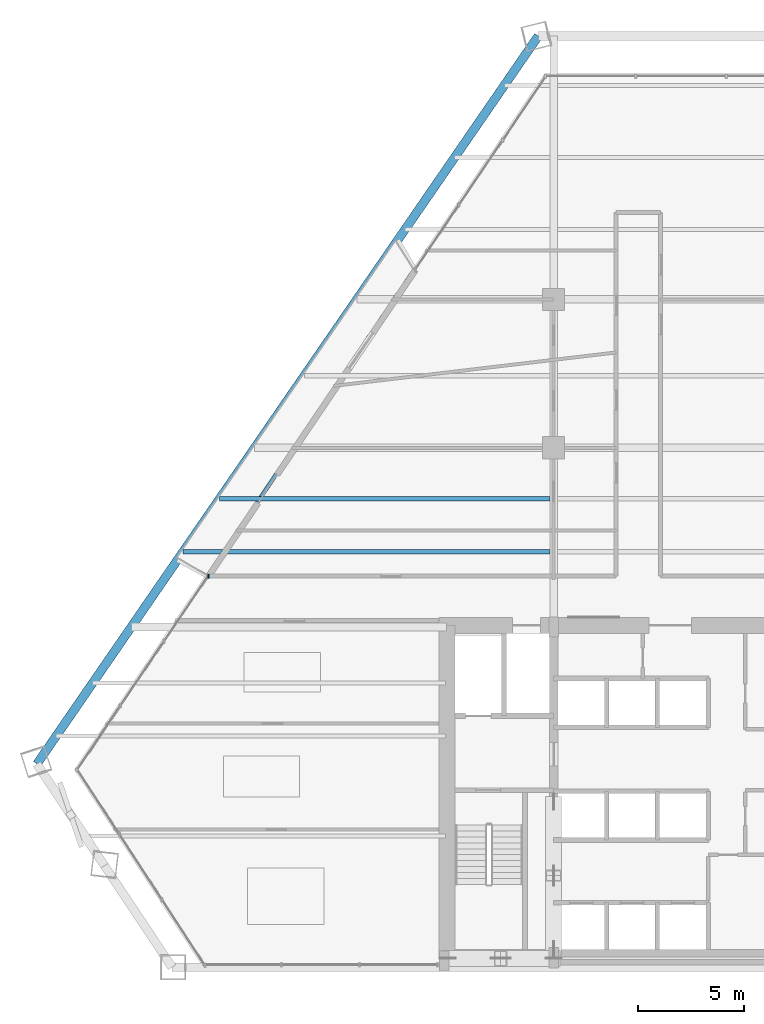
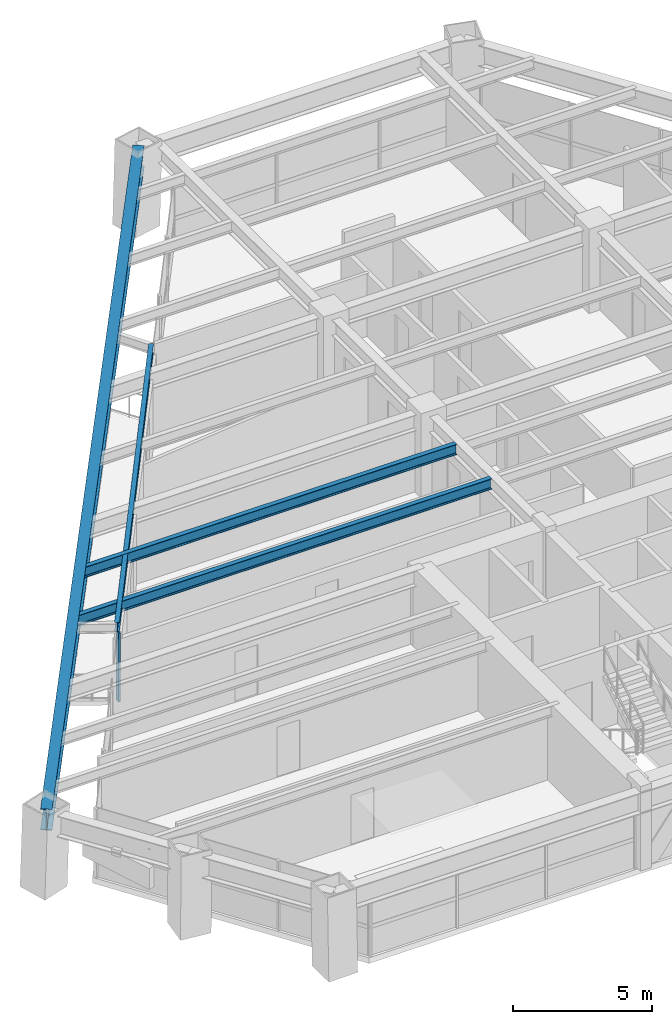
# One storey, part 4 of 14: 4 beams, 1 member, 1 element without a shape of its own.
"""IFC4 building model written with IfcOpenShell, lengths in metres."""

from ifc_helpers import new_model, si_unit, direction, frame, origin, origin_2d, place, context, subcontext, project, spatial, rectangle, i_section, extrude, source, transform, mapped, material, material_profile, profile_set, type_object, type_shapes, element, aggregate, save


model = new_model("IFC4")

# Units and contexts
model_context = context("Model", 3, precision=1e-05, world=origin(), true_north=direction((0.0, 1.0)))
body_context = subcontext(model_context, "Body", "Model", "MODEL_VIEW")
ifc_project = project(units=[si_unit("LENGTHUNIT", "METRE"), si_unit("AREAUNIT", "SQUARE_METRE"), si_unit("VOLUMEUNIT", "CUBIC_METRE"), si_unit("PLANEANGLEUNIT", "RADIAN"), si_unit("MASSUNIT", "GRAM", prefix="KILO")], contexts=[model_context])

# Site, building, storey
site_placement = place(None, origin())
site = spatial("IfcSite", under=ifc_project, at=site_placement, CompositionType="ELEMENT")
building_placement = place(site_placement, origin())
building = spatial("IfcBuilding", under=site, at=building_placement, Name="Varnakhor Terracotta Tower", CompositionType="ELEMENT")
storey_placement = place(building_placement, frame((0.0, 0.0, 84.0)))
storey = spatial("IfcBuildingStorey", under=building, at=storey_placement, Name="L20", CompositionType="ELEMENT", Elevation=84.0)

# Beams
ifc_material_1 = material(Name="Steel S355", Category="steel")
ifc_material_profile_1 = material_profile(ifc_material_1, i_section(OverallWidth=0.41796875, OverallDepth=0.927001953125, WebThickness=0.01904296875, FlangeThickness=0.031982421875, FilletRadius=0.01806640625, at=origin_2d()), Name="W36X231")
ifc_profile_set_1 = profile_set([ifc_material_profile_1], Name="Steel S355")
beam_type_1 = type_object("IfcBeamType", Name="BM-W36X231", PredefinedType="BEAM", material=ifc_profile_set_1)
shared_shape_1 = source(origin(), body_context, "Body", "SweptSolid", [
    extrude(i_section(OverallWidth=0.41796875, OverallDepth=0.927001953125, WebThickness=0.01904296875, FlangeThickness=0.031982421875, FilletRadius=0.01806640625, at=origin_2d()), origin(), (0.0, 0.0, 1.0), 41.700439453125),
])
beam_1_placement = place(storey_placement, frame((-6.219482421875, 43.93115234375, 2.986572265625), z_axis=(-0.567189824455, -0.82358709499, 0.0), x_axis=(0.82358709499, -0.567189824455, 0.0)))
element("IfcBeam", 1, at=beam_1_placement, inside=storey, type_object=beam_type_1, Name="L20 Perimeter Spandrel 6", PredefinedType="BEAM", context=body_context, shape_type="MappedRepresentation", body=[
    mapped(shared_shape_1, transform((0.0, 0.0, 0.0), scale=1.0)),
])
ifc_material_profile_2 = material_profile(ifc_material_1, i_section(OverallWidth=0.179931640625, OverallDepth=0.39990234375, WebThickness=0.008544921875, FlangeThickness=0.013427734375, FilletRadius=0.01806640625, at=origin_2d()), Name="IPE400")
ifc_profile_set_2 = profile_set([ifc_material_profile_2], Name="Steel S355")
beam_type_2 = type_object("IfcBeamType", Name="JST-IPE400", PredefinedType="JOIST", material=ifc_profile_set_2)
shared_shape_2 = source(origin(), body_context, "Body", "SweptSolid", [
    extrude(i_section(OverallWidth=0.179931640625, OverallDepth=0.39990234375, WebThickness=0.008544921875, FlangeThickness=0.013427734375, FilletRadius=0.01806640625, at=origin_2d()), origin(), (0.0, 0.0, 1.0), 17.50244140625),
])
beam_2_placement = place(storey_placement, frame((-12.04296875, 32.94580078125, 3.25), z_axis=(-0.559352585153, -0.828929843523, 0.0), x_axis=(0.828929843523, -0.559352585153, 0.0)))
element("IfcBeam", 2, at=beam_2_placement, inside=storey, type_object=beam_type_2, Name="L20 Loggia Edge Beam 2", PredefinedType="JOIST", context=body_context, shape_type="MappedRepresentation", body=[
    mapped(shared_shape_2, transform((0.0, 0.0, 0.0), scale=1.0)),
])
ifc_material_profile_3 = material_profile(ifc_material_1, i_section(OverallWidth=0.19189453125, OverallDepth=0.462890625, WebThickness=0.010498046875, FlangeThickness=0.017578125, FilletRadius=0.01806640625, at=origin_2d()), Name="W18X60")
ifc_profile_set_3 = profile_set([ifc_material_profile_3], Name="Steel S355")
beam_type_3 = type_object("IfcBeamType", Name="JST-W18X60", PredefinedType="JOIST", material=ifc_profile_set_3)
shared_shape_3 = source(origin(), body_context, "Body", "SweptSolid", [
    extrude(i_section(OverallWidth=0.19189453125, OverallDepth=0.462890625, WebThickness=0.010498046875, FlangeThickness=0.017578125, FilletRadius=0.01806640625, at=origin_2d()), origin(), (0.0, 0.0, 1.0), 17.30224609375),
])
beam_3_placement = place(storey_placement, frame((-22.975830078125, 19.60009765625, 3.218505859375), z_axis=(1.0, 0.0, 0.0), x_axis=(0.0, 1.0, 0.0)))
element("IfcBeam", 3, at=beam_3_placement, inside=storey, type_object=beam_type_3, Name="L20 Composite Floor Joist 4-1", PredefinedType="JOIST", context=body_context, shape_type="MappedRepresentation", body=[
    mapped(shared_shape_3, transform((0.0, 0.0, 0.0), scale=1.0)),
])
shared_shape_4 = source(origin(), body_context, "Body", "SweptSolid", [
    extrude(i_section(OverallWidth=0.19189453125, OverallDepth=0.462890625, WebThickness=0.010498046875, FlangeThickness=0.017578125, FilletRadius=0.01806640625, at=origin_2d()), origin(), (0.0, 0.0, 1.0), 15.58056640625),
])
beam_4_placement = place(storey_placement, frame((-21.254150390625, 22.10009765625, 3.218505859375), z_axis=(1.0, 0.0, 0.0), x_axis=(0.0, 1.0, 0.0)))
element("IfcBeam", 4, at=beam_4_placement, inside=storey, type_object=beam_type_3, Name="L20 Composite Floor Joist 5-1", PredefinedType="JOIST", context=body_context, shape_type="MappedRepresentation", body=[
    mapped(shared_shape_4, transform((0.0, 0.0, 0.0), scale=1.0)),
])

# Curtain wall, member
ifc_material_2 = material(Name="Anodised Aluminium Curtain Wall System", Category="aluminium")
curtain_wall_type = type_object("IfcCurtainWallType", Name="CW-SYS-LOW-OFFICE", PredefinedType="NOTDEFINED", material=ifc_material_2)
curtain_wall_placement = place(storey_placement, origin())
curtain_wall = element("IfcCurtainWall", 5, at=curtain_wall_placement, inside=storey, type_object=curtain_wall_type, Name="L20 W Facet Curtain Wall 1", PredefinedType="NOTDEFINED")
ifc_material_3 = material(Name="Anodised Aluminium 6063-T6", Category="aluminium")
ifc_material_profile_4 = material_profile(ifc_material_3, rectangle(XDim=0.074951171875, YDim=0.18505859375, at=origin_2d()), Name="ALU MULLION 75x185")
ifc_profile_set_4 = profile_set([ifc_material_profile_4], Name="Anodised Aluminium 6063-T6")
member_type = type_object("IfcMemberType", Name="CWM-02", PredefinedType="MULLION", material=ifc_profile_set_4)
shared_shape_5 = source(origin(), body_context, "Body", "SweptSolid", [
    extrude(rectangle(XDim=0.074951171875, YDim=0.18505859375, at=origin_2d()), origin(), (0.0, 0.0, 1.0), 3.030029296875),
])
type_shapes(member_type, [shared_shape_5])
member_placement = place(storey_placement, frame((-21.781005859375, 18.439697265625, 0.0), z_axis=(0.0, 0.0, 1.0), x_axis=(1.0, 0.0, 0.0)))
member = element("IfcMember", 6, at=member_placement, type_object=member_type, Name="L20 W Loggia Jamb Closure Mullion 1", PredefinedType="MULLION", context=body_context, shape_type="MappedRepresentation", body=[
    mapped(shared_shape_5, transform((0.0, 0.0, 0.0), scale=1.0)),
])
aggregate(curtain_wall, [member])

save(model, "model.ifc")
